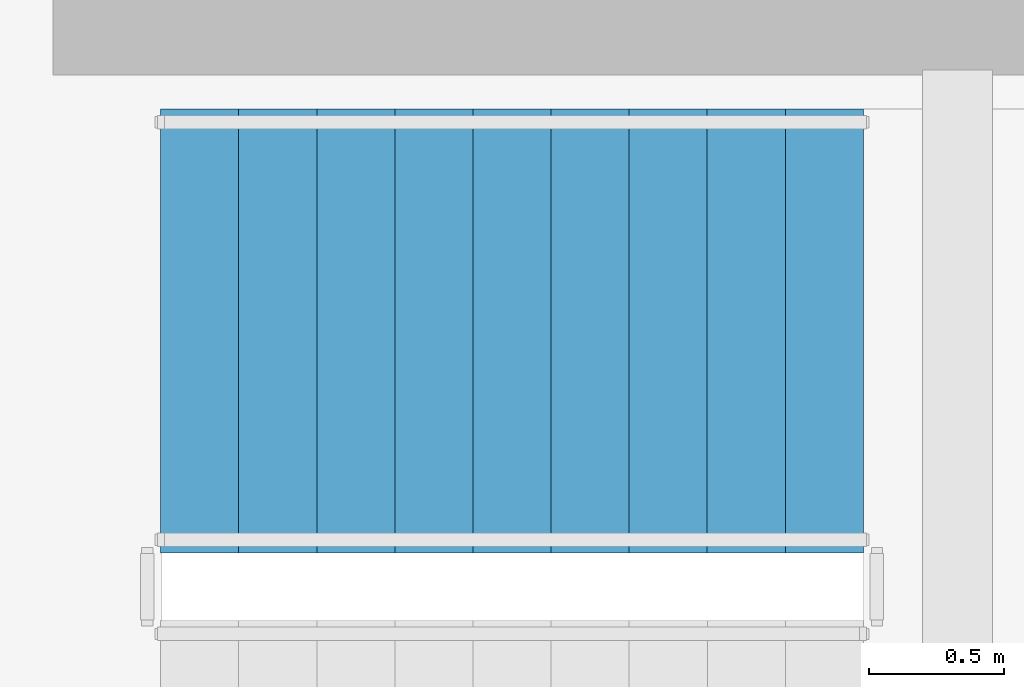
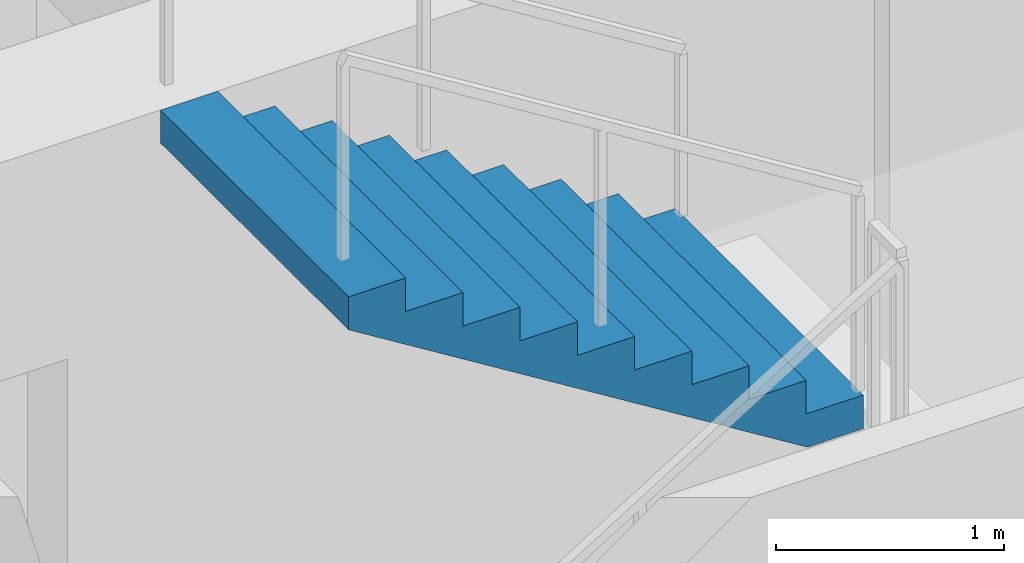
# One storey, part 12 of 14: 1 stair flight, 1 element without a shape of its own.
"""IFC4 building model written with IfcOpenShell, lengths in metres."""

from ifc_helpers import new_model, si_unit, derived_unit, direction, frame, origin, place, context, subcontext, project, spatial, polyline, outline, extrude, material, type_object, element, aggregate, save


model = new_model("IFC4")

# Units and contexts
model_context = context("Model", 3, precision=1e-05, world=origin(), true_north=direction((0.0, 1.0)))
body_context = subcontext(model_context, "Body", "Model", "MODEL_VIEW")
ifc_project = project(units=[si_unit("LENGTHUNIT", "METRE"), si_unit("AREAUNIT", "SQUARE_METRE"), si_unit("VOLUMEUNIT", "CUBIC_METRE"), si_unit("PLANEANGLEUNIT", "RADIAN"), si_unit("MASSUNIT", "GRAM", prefix="KILO"), derived_unit("THERMALTRANSMITTANCEUNIT", [(si_unit("POWERUNIT", "WATT"), 1), (si_unit("LENGTHUNIT", "METRE"), -2), (si_unit("THERMODYNAMICTEMPERATUREUNIT", "KELVIN"), -1)])], contexts=[model_context])

# Site, building, storey
site_placement = place(None, origin())
site = spatial("IfcSite", under=ifc_project, at=site_placement, CompositionType="ELEMENT")
building_placement = place(site_placement, origin())
building = spatial("IfcBuilding", under=site, at=building_placement, Name="Koralith Skygarden Medical Center", CompositionType="ELEMENT")
storey_placement = place(building_placement, frame((0.0, 0.0, 81.179931640625)))
storey = spatial("IfcBuildingStorey", under=building, at=storey_placement, Name="L20", CompositionType="ELEMENT", Elevation=81.179931640625)

# Stair, stair flight
ifc_material = material(Name="Concrete C45/55", Category="concrete")
stair_type = type_object("IfcStairType", Name="Core Exit Dogleg Concrete Stair", PredefinedType="HALF_TURN_STAIR", material=ifc_material)
stair_placement = place(storey_placement, origin())
stair = element("IfcStair", 1, at=stair_placement, inside=storey, type_object=stair_type, Name="L20 Smokeproof Exit Stair ST3", PredefinedType="HALF_TURN_STAIR")
stair_flight_type = type_object("IfcStairFlightType", Name="Core Exit Concrete Stair Flight 1650", PredefinedType="STRAIGHT", material=ifc_material)
stair_flight_placement = place(storey_placement, frame((35.409912109375, 33.175048828125, 1.800048828125), z_axis=(0.0, 0.0, 1.0), x_axis=(-1.0, 0.0, 0.0)))
stair_flight = element("IfcStairFlight", 2, at=stair_flight_placement, type_object=stair_flight_type, Name="ST3 flight 2", NumberOfRisers=10, NumberOfTreads=9, PredefinedType="STRAIGHT", RiserHeight=0.18, TreadLength=0.29, context=body_context, shape_type="SweptSolid", body=[
    extrude(outline(polyline([(0.0, 0.0), (0.0, 0.179931640625), (0.2900390625, 0.179931640625), (0.2900390625, 0.360107421875), (0.580078125, 0.360107421875), (0.580078125, 0.5400390625), (0.8701171875, 0.5400390625), (0.8701171875, 0.719970703125), (1.159912109375, 0.719970703125), (1.159912109375, 0.89990234375), (1.449951171875, 0.89990234375), (1.449951171875, 1.080078125), (1.739990234375, 1.080078125), (1.739990234375, 1.260009765625), (2.030029296875, 1.260009765625), (2.030029296875, 1.43994140625), (2.320068359375, 1.43994140625), (2.320068359375, 1.6201171875), (2.610107421875, 1.6201171875), (2.610107421875, 1.800048828125), (2.610107421875, 1.443603515625), (0.2841796875, 0.0), (0.0, 0.0)])), frame((0.0, 0.824951171875, 0.0), z_axis=(0.0, -1.0, 0.0), x_axis=(1.0, 0.0, 0.0)), (0.0, 0.0, 1.0), 1.64990234375),
])
aggregate(stair, [stair_flight])

save(model, "model.ifc")
